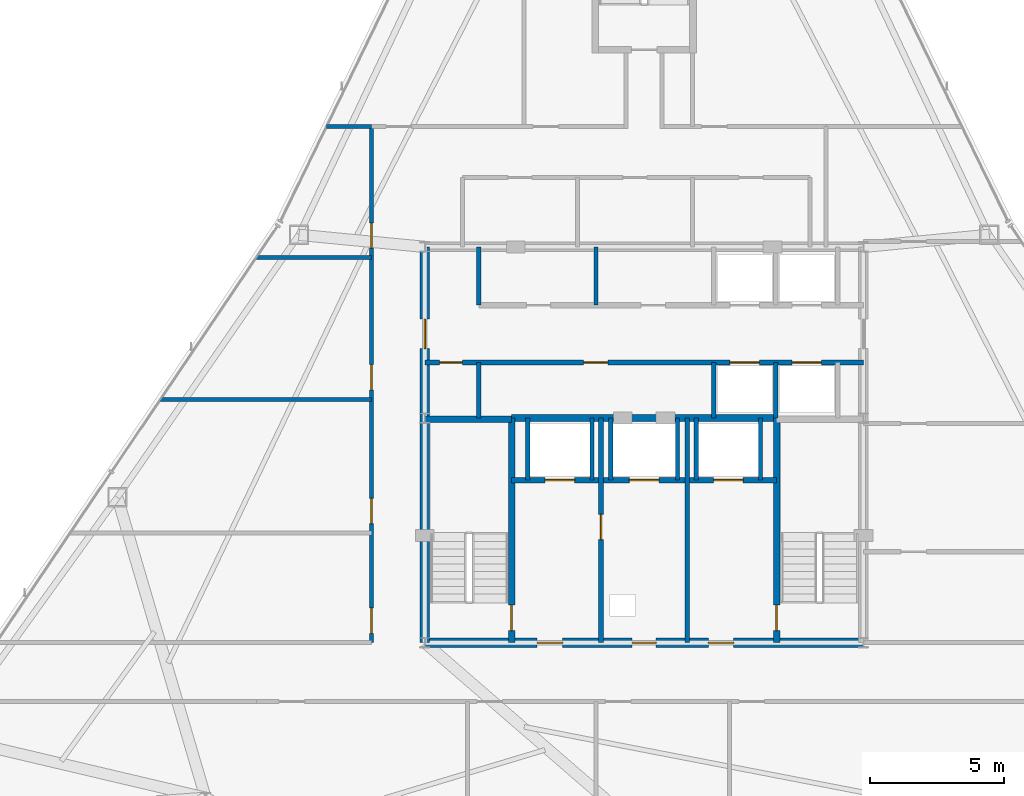
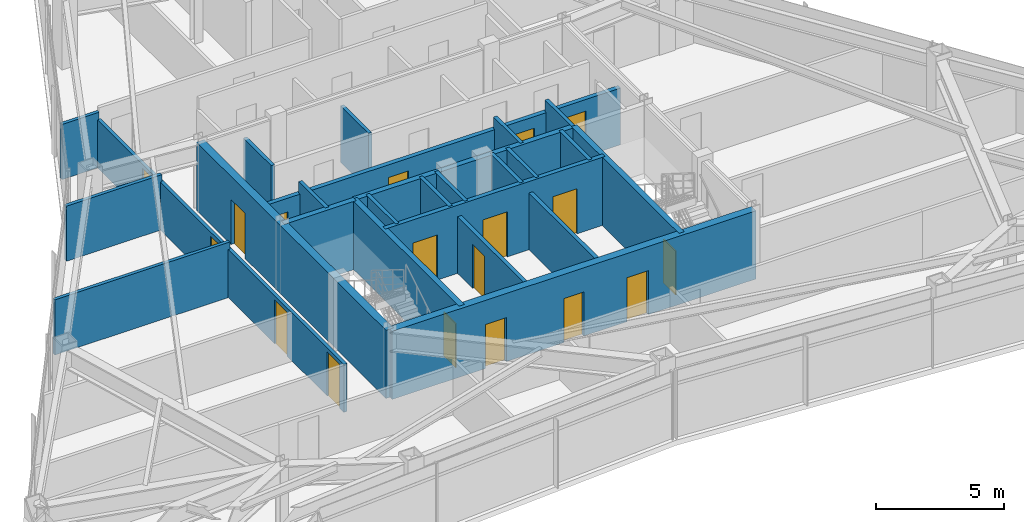
# One storey, part 9 of 12: 25 walls, 18 doors, 18 openings.
"""IFC4 building model written with IfcOpenShell, lengths in metres."""

import ifcopenshell
import ifcopenshell.guid

model = None  # the IFC model being written
_history = None  # IfcOwnerHistory: only IFC2X3 demands one
_inside = {}  # id of a spatial element -> (the spatial element, [elements in it])
_under = {}  # id of a project, library or spatial element -> (it, [spatial elements below it])
_declared = {}  # id of a project -> (the project, [libraries it declares])
_typed = {}  # id of a type object -> (the type object, [elements of that type])
_made_of = {}  # id of a material, layer set ... -> (it, [elements and type objects made of it])


def new_model(schema):
    """Start an empty IFC model of exactly this schema.

    Asked for "IFC4X3", IfcOpenShell would pick the latest addendum, in which some entities
    have other attributes; the version numbers below select the first issue.
    IFC2X3 requires an IfcOwnerHistory on every rooted entity: one is made here for all.
    """
    global model, _history
    if schema == "IFC4X3":
        model = ifcopenshell.file(schema_version=(4, 3, 0, 0))
    else:
        model = ifcopenshell.file(schema=schema)
    _inside.clear()
    _under.clear()
    _declared.clear()
    _typed.clear()
    _made_of.clear()
    _history = None
    if model.schema == "IFC2X3":
        org = make("IfcOrganization", Name="unknown")
        user = make(
            "IfcPersonAndOrganization",
            ThePerson=make("IfcPerson", FamilyName="unknown"),
            TheOrganization=org,
        )
        app = make(
            "IfcApplication",
            ApplicationDeveloper=org,
            Version="unknown",
            ApplicationFullName="unknown",
            ApplicationIdentifier="unknown",
        )
        _history = make(
            "IfcOwnerHistory",
            OwningUser=user,
            OwningApplication=app,
            ChangeAction="ADDED",
            CreationDate=0,
        )
    return model


def make(cls, **values):
    """One entity of the class cls with the attributes given. An attribute that is None is left unset."""
    return model.create_entity(
        cls, **{name: value for name, value in values.items() if value is not None}
    )


def rooted(cls, **values):
    """An entity with a GlobalId (a new one), such as an element, a storey or a relation."""
    return make(cls, GlobalId=ifcopenshell.guid.new(), OwnerHistory=_history, **values)


def si_unit(unit_type, name, prefix=None):
    """IfcSIUnit, for example si_unit("LENGTHUNIT", "METRE", prefix="MILLI")."""
    return make("IfcSIUnit", UnitType=unit_type, Prefix=prefix, Name=name)


def assignment(units):
    """IfcUnitAssignment: the units of a project."""
    return None if units is None else make("IfcUnitAssignment", Units=units)


def point(xyz):
    """IfcCartesianPoint."""
    return None if xyz is None else make("IfcCartesianPoint", Coordinates=xyz)


def direction(xyz):
    """IfcDirection."""
    return None if xyz is None else make("IfcDirection", DirectionRatios=xyz)


def frame(location, z_axis=None, x_axis=None):
    """IfcAxis2Placement3D, a coordinate frame: its origin and axes. An axis left out is left unset."""
    return make(
        "IfcAxis2Placement3D",
        Location=point(location),
        Axis=direction(z_axis),
        RefDirection=direction(x_axis),
    )


def frame_2d(location, x_axis=None):
    """IfcAxis2Placement2D, a coordinate frame in the plane: its origin and x axis."""
    return make(
        "IfcAxis2Placement2D", Location=point(location), RefDirection=direction(x_axis)
    )


def origin():
    """The frame at (0, 0, 0) with its axes left unset."""
    return frame((0.0, 0.0, 0.0))


def place(relative_to, where):
    """IfcLocalPlacement: puts the frame where relative to a parent placement (None: the world)."""
    return make(
        "IfcLocalPlacement", PlacementRelTo=relative_to, RelativePlacement=where
    )


def context(
    kind, dimensions, precision=None, world=None, true_north=None, identifier=None
):
    """IfcGeometricRepresentationContext, for example the 3D "Model" context."""
    return make(
        "IfcGeometricRepresentationContext",
        ContextIdentifier=identifier,
        ContextType=kind,
        CoordinateSpaceDimension=dimensions,
        Precision=precision,
        WorldCoordinateSystem=world,
        TrueNorth=true_north,
    )


def subcontext(parent, identifier, kind, view, scale=None):
    """IfcGeometricRepresentationSubContext, for example "Body" below "Model"."""
    return make(
        "IfcGeometricRepresentationSubContext",
        ContextIdentifier=identifier,
        ContextType=kind,
        ParentContext=parent,
        TargetScale=scale,
        TargetView=view,
    )


def project(units=None, contexts=None):
    """IfcProject with its units and contexts."""
    return rooted(
        "IfcProject",
        Name="project",
        RepresentationContexts=contexts,
        UnitsInContext=assignment(units),
    )


def spatial(cls, under=None, at=None, **own):
    """A site, building, storey or space (cls), placed at a placement, below another one or the project."""
    s = rooted(cls, ObjectPlacement=at, **own)
    if under is not None:
        _under.setdefault(under.id(), (under, []))[1].append(s)
    return s


def profile(cls, at=None, kind="AREA", **sizes):
    """A parametric profile (cls). Its sizes go by their IFC names, for example OverallWidth=200.0."""
    return make(cls, ProfileType=kind, Position=at, **sizes)


def rectangle(**sizes):
    """IfcRectangleProfileDef."""
    return profile("IfcRectangleProfileDef", **sizes)


def extrude(swept, where, along, depth):
    """IfcExtrudedAreaSolid: the profile swept, set in the frame where, extruded along a direction by depth."""
    return make(
        "IfcExtrudedAreaSolid",
        SweptArea=swept,
        Position=where,
        ExtrudedDirection=direction(along),
        Depth=depth,
    )


def shape(context_of_items, identifier, shape_type, items):
    """IfcShapeRepresentation: the items that make up one representation, for example the "Body"."""
    return make(
        "IfcShapeRepresentation",
        ContextOfItems=context_of_items,
        RepresentationIdentifier=identifier,
        RepresentationType=shape_type,
        Items=items,
    )


def material(Name=None, Category=None):
    """IfcMaterial."""
    return make("IfcMaterial", Name=Name, Category=Category)


def layer(
    of_material, thickness, ventilated=None, Name=None, Category=None, Priority=None
):
    """IfcMaterialLayer: one layer of a wall or slab, of a material (None: an air gap)."""
    return make(
        "IfcMaterialLayer",
        Material=of_material,
        LayerThickness=thickness,
        IsVentilated=ventilated,
        Name=Name,
        Category=Category,
        Priority=Priority,
    )


def layer_set(layers, Name=None):
    """IfcMaterialLayerSet."""
    return make("IfcMaterialLayerSet", MaterialLayers=layers, LayerSetName=Name)


def made_of(thing, what):
    """Note that an element or type object is made of a material, layer set ...; save() writes the relation."""
    if what is not None:
        _made_of.setdefault(what.id(), (what, []))[1].append(thing)
    return thing


def type_object(cls, material=None, **own):
    """A type object (cls), such as IfcWallType, which elements share."""
    return made_of(rooted(cls, **own), material)


def element(
    cls,
    number,
    at=None,
    inside=None,
    cuts=None,
    type_object=None,
    material=None,
    context=None,
    identifier="Body",
    shape_type=None,
    held_by="IfcProductDefinitionShape",
    body=None,
    shapes=None,
    **own,
):
    """One element of the class cls, such as IfcWall. Its Tag is "e" and its number.

    at: its placement. inside: the storey or other place that contains it. cuts: it is an
    opening in that element (IfcRelVoidsElement). A single representation is given by context,
    identifier, shape_type and body (its items); several are given by shapes. held_by: the class
    of the entity that holds the representations. save() writes the other relations.
    """
    e = rooted(cls, Tag="e%d" % number, ObjectPlacement=at, **own)
    if body is not None:
        shapes = [shape(context, identifier, shape_type, body)]
    if shapes is not None:
        e.Representation = make(held_by, Representations=shapes)
    if inside is not None:
        _inside.setdefault(inside.id(), (inside, []))[1].append(e)
    if cuts is not None:
        rooted(
            "IfcRelVoidsElement", RelatingBuildingElement=cuts, RelatedOpeningElement=e
        )
    if type_object is not None:
        _typed.setdefault(type_object.id(), (type_object, []))[1].append(e)
    return made_of(e, material)


def fill(opening, filler):
    """IfcRelFillsElement: the door or window that sits in an opening."""
    return rooted(
        "IfcRelFillsElement",
        RelatingOpeningElement=opening,
        RelatedBuildingElement=filler,
    )


def aggregate(whole, parts):
    """IfcRelAggregates: a whole, such as a stair, and the parts it consists of."""
    return rooted("IfcRelAggregates", RelatingObject=whole, RelatedObjects=parts)


def save(model, path):
    """Write the relations noted so far, then the file.

    IfcRelAggregates (storeys below a building ...), IfcRelContainedInSpatialStructure (elements
    in a storey), IfcRelDefinesByType, IfcRelAssociatesMaterial and IfcRelDeclares: one each for
    every whole, place, type object, material and project.
    """
    for whole, parts in _under.values():
        aggregate(whole, parts)
    for where, things in _inside.values():
        rooted(
            "IfcRelContainedInSpatialStructure",
            RelatedElements=things,
            RelatingStructure=where,
        )
    for kind, things in _typed.values():
        rooted("IfcRelDefinesByType", RelatedObjects=things, RelatingType=kind)
    for what, things in _made_of.values():
        rooted("IfcRelAssociatesMaterial", RelatedObjects=things, RelatingMaterial=what)
    for by, libraries in _declared.values():
        rooted("IfcRelDeclares", RelatingContext=by, RelatedDefinitions=libraries)
    model.write(path)


model = new_model("IFC4")

# Units and contexts
model_context = context("Model", 3, precision=1e-05, world=origin(), true_north=direction((0.0, 1.0)))
body_context = subcontext(model_context, "Body", "Model", "MODEL_VIEW")
ifc_project = project(units=[si_unit("LENGTHUNIT", "METRE"), si_unit("AREAUNIT", "SQUARE_METRE"), si_unit("VOLUMEUNIT", "CUBIC_METRE"), si_unit("PLANEANGLEUNIT", "RADIAN"), si_unit("MASSUNIT", "GRAM", prefix="KILO")], contexts=[model_context])

# Site, building, storey
site_placement = place(None, origin())
site = spatial("IfcSite", under=ifc_project, at=site_placement, CompositionType="ELEMENT")
building_placement = place(site_placement, origin())
building = spatial("IfcBuilding", under=site, at=building_placement, Name="Varakhsha Concourse Tower", CompositionType="ELEMENT")
storey_placement = place(building_placement, frame((0.0, 0.0, 204.89990234375)))
storey = spatial("IfcBuildingStorey", under=building, at=storey_placement, Name="L58", CompositionType="ELEMENT", Elevation=204.89990234375)

# Wall, openings, doors
ifc_material_1 = material(Name="Concrete fc 65 MPa", Category="concrete")
ifc_layer_1 = layer(ifc_material_1, 0.35009765625, Name="WL-CORE-350")
ifc_layer_set_1 = layer_set([ifc_layer_1], Name="Concrete fc 65 MPa")
wall_type_1 = type_object("IfcWallType", Name="WL-CORE-350", PredefinedType="SHEAR", material=ifc_layer_set_1)
wall_1_placement = place(storey_placement, frame((31.800048828125, 16.39990234375, 0.0), z_axis=(0.0, 0.0, 1.0), x_axis=(1.0, 0.0, 0.0)))
wall_1 = element("IfcWall", 1, at=wall_1_placement, inside=storey, type_object=wall_type_1, Name="L58 Wall CWALL-S-L58", PredefinedType="SHEAR", context=body_context, shape_type="SweptSolid", body=[
    extrude(rectangle(XDim=16.39990234375, YDim=0.35009765625, at=frame_2d((8.199951171875, 0.0))), origin(), (0.0, 0.0, 1.0), 3.25),
])
opening_1_placement = place(wall_1_placement, frame((7.75, 0.0, 0.0)))
opening_1 = element("IfcOpeningElement", 2, at=opening_1_placement, cuts=wall_1, Name="Opening DF-06", PredefinedType="OPENING", context=body_context, shape_type="SweptSolid", body=[
    extrude(rectangle(XDim=0.89990234375, YDim=2.10009765625, at=frame_2d((0.449951171875, 1.050048828125))), frame((0.0, 0.18505859375, 0.0), z_axis=(0.0, -1.0, 0.0), x_axis=(1.0, 0.0, 0.0)), (0.0, 0.0, 1.0), 0.3701171875),
])
opening_2_placement = place(wall_1_placement, frame((4.199951171875, 0.0, 0.0)))
opening_2 = element("IfcOpeningElement", 3, at=opening_2_placement, cuts=wall_1, Name="Opening DF-05", PredefinedType="OPENING", context=body_context, shape_type="SweptSolid", body=[
    extrude(rectangle(XDim=0.949951171875, YDim=2.10009765625, at=frame_2d((0.47509765625, 1.050048828125))), frame((0.0, 0.18505859375, 0.0), z_axis=(0.0, -1.0, 0.0), x_axis=(1.0, 0.0, 0.0)), (0.0, 0.0, 1.0), 0.3701171875),
])
opening_3_placement = place(wall_1_placement, frame((10.60009765625, 0.0, 0.0)))
opening_3 = element("IfcOpeningElement", 4, at=opening_3_placement, cuts=wall_1, Name="Opening DF-05", PredefinedType="OPENING", context=body_context, shape_type="SweptSolid", body=[
    extrude(rectangle(XDim=0.949951171875, YDim=2.10009765625, at=frame_2d((0.47509765625, 1.050048828125))), frame((0.0, 0.18505859375, 0.0), z_axis=(0.0, -1.0, 0.0), x_axis=(1.0, 0.0, 0.0)), (0.0, 0.0, 1.0), 0.3701171875),
])
ifc_material_2 = material(Name="Hollow Galvanised Steel Fire Door Assembly", Category="steel")
door_type_1 = type_object("IfcDoorType", Name="DR-FD60-900", OperationType="NOTDEFINED", PredefinedType="DOOR", material=ifc_material_2)
door_1_placement = place(opening_1_placement, origin())
door_1 = element("IfcDoor", 5, at=door_1_placement, inside=storey, type_object=door_type_1, Name="L58 Service Riser Vestibule Door", OperationType="SINGLE_SWING_LEFT", OverallHeight=2.10009765625, OverallWidth=0.89990234375, PredefinedType="DOOR", context=body_context, shape_type="SweptSolid", body=[
    extrude(rectangle(XDim=0.89990234375, YDim=2.10009765625, at=frame_2d((0.449951171875, 1.050048828125))), frame((0.0, 0.02490234375, 0.0), z_axis=(0.0, -1.0, 0.0), x_axis=(1.0, 0.0, 0.0)), (0.0, 0.0, 1.0), 0.050048828125),
])
fill(opening_1, door_1)
door_type_2 = type_object("IfcDoorType", Name="DR-FD60-950", OperationType="NOTDEFINED", PredefinedType="DOOR", material=ifc_material_2)
door_2_placement = place(opening_2_placement, origin())
door_2 = element("IfcDoor", 6, at=door_2_placement, inside=storey, type_object=door_type_2, Name="L58 Firefighting Lobby West Door", OperationType="SINGLE_SWING_RIGHT", OverallHeight=2.10009765625, OverallWidth=0.949951171875, PredefinedType="DOOR", context=body_context, shape_type="SweptSolid", body=[
    extrude(rectangle(XDim=0.949951171875, YDim=2.10009765625, at=frame_2d((0.47509765625, 1.050048828125))), frame((0.0, 0.02490234375, 0.0), z_axis=(0.0, -1.0, 0.0), x_axis=(1.0, 0.0, 0.0)), (0.0, 0.0, 1.0), 0.050048828125),
])
fill(opening_2, door_2)
door_3_placement = place(opening_3_placement, origin())
door_3 = element("IfcDoor", 7, at=door_3_placement, inside=storey, type_object=door_type_2, Name="L58 Firefighting Lobby East Door", OperationType="SINGLE_SWING_LEFT", OverallHeight=2.10009765625, OverallWidth=0.949951171875, PredefinedType="DOOR", context=body_context, shape_type="SweptSolid", body=[
    extrude(rectangle(XDim=0.949951171875, YDim=2.10009765625, at=frame_2d((0.47509765625, 1.050048828125))), frame((0.0, 0.02490234375, 0.0), z_axis=(0.0, -1.0, 0.0), x_axis=(1.0, 0.0, 0.0)), (0.0, 0.0, 1.0), 0.050048828125),
])
fill(opening_3, door_3)

# Wall, opening, door
wall_2_placement = place(storey_placement, frame((31.800048828125, 16.39990234375, 0.0), z_axis=(0.0, 0.0, 1.0), x_axis=(0.0, 1.0, 0.0)))
wall_2 = element("IfcWall", 8, at=wall_2_placement, inside=storey, type_object=wall_type_1, Name="L58 Wall CWALL-W-L58", PredefinedType="SHEAR", context=body_context, shape_type="SweptSolid", body=[
    extrude(rectangle(XDim=14.800048828125, YDim=0.35009765625, at=frame_2d((7.39990234375, 0.0))), origin(), (0.0, 0.0, 1.0), 3.25),
])
opening_4_placement = place(wall_2_placement, frame((11.0, 0.0, 0.0)))
opening_4 = element("IfcOpeningElement", 9, at=opening_4_placement, cuts=wall_2, Name="Opening DL-01", PredefinedType="OPENING", context=body_context, shape_type="SweptSolid", body=[
    extrude(rectangle(XDim=1.10009765625, YDim=2.14990234375, at=frame_2d((0.550048828125, 1.074951171875))), frame((0.0, 0.18505859375, 0.0), z_axis=(0.0, -1.0, 0.0), x_axis=(1.0, 0.0, 0.0)), (0.0, 0.0, 1.0), 0.3701171875),
])
ifc_material_3 = material(Name="Anodised Bronze Architectural Aluminium AA 6063-T6", Category="aluminium")
door_type_3 = type_object("IfcDoorType", Name="DR-LOB-1100", OperationType="NOTDEFINED", PredefinedType="DOOR", material=ifc_material_3)
door_4_placement = place(opening_4_placement, origin())
door_4 = element("IfcDoor", 10, at=door_4_placement, inside=storey, type_object=door_type_3, Name="L58 Lift Lobby West Concourse Door", OperationType="SINGLE_SWING_LEFT", OverallHeight=2.14990234375, OverallWidth=1.10009765625, PredefinedType="DOOR", context=body_context, shape_type="SweptSolid", body=[
    extrude(rectangle(XDim=1.10009765625, YDim=2.14990234375, at=frame_2d((0.550048828125, 1.074951171875))), frame((0.0, 0.02490234375, 0.0), z_axis=(0.0, -1.0, 0.0), x_axis=(1.0, 0.0, 0.0)), (0.0, 0.0, 1.0), 0.050048828125),
])
fill(opening_4, door_4)

ifc_material_4 = material(Name="Fire-Rated Type X Gypsum Partition Assembly", Category="gypsum")
ifc_layer_2 = layer(ifc_material_4, 0.179931640625, Name="WL-FFLOB-180")
ifc_layer_set_2 = layer_set([ifc_layer_2], Name="Fire-Rated Type X Gypsum Partition Assembly")
wall_type_2 = type_object("IfcWallType", Name="WL-FFLOB-180", PredefinedType="PARTITIONING", material=ifc_layer_set_2)
wall_3_placement = place(storey_placement, frame((38.389892578125, 16.39990234375, 0.0), z_axis=(0.0, 0.0, 1.0), x_axis=(0.0, 1.0, 0.0)))
wall_3 = element("IfcWall", 11, at=wall_3_placement, inside=storey, type_object=wall_type_2, Name="L58 Wall FFW-1E-L58", PredefinedType="PARTITIONING", context=body_context, shape_type="SweptSolid", body=[
    extrude(rectangle(XDim=8.400146484375, YDim=0.179931640625, at=frame_2d((4.2001953125, 0.0))), origin(), (0.0, 0.0, 1.0), 2.705078125),
])
opening_5_placement = place(wall_3_placement, frame((3.85009765625, 0.0, 0.0)))
opening_5 = element("IfcOpeningElement", 12, at=opening_5_placement, cuts=wall_3, Name="Opening DF-05", PredefinedType="OPENING", context=body_context, shape_type="SweptSolid", body=[
    extrude(rectangle(XDim=0.949951171875, YDim=2.10009765625, at=frame_2d((0.47509765625, 1.050048828125))), frame((0.0, 0.099853515625, 0.0), z_axis=(0.0, -1.0, 0.0), x_axis=(1.0, 0.0, 0.0)), (0.0, 0.0, 1.0), 0.199951171875),
])
door_5_placement = place(opening_5_placement, origin())
door_5 = element("IfcDoor", 13, at=door_5_placement, inside=storey, type_object=door_type_2, Name="L58 Service Vestibule Door", OperationType="SINGLE_SWING_RIGHT", OverallHeight=2.10009765625, OverallWidth=0.949951171875, PredefinedType="DOOR", context=body_context, shape_type="SweptSolid", body=[
    extrude(rectangle(XDim=0.949951171875, YDim=2.10009765625, at=frame_2d((0.47509765625, 1.050048828125))), frame((0.0, 0.02490234375, 0.0), z_axis=(0.0, -1.0, 0.0), x_axis=(1.0, 0.0, 0.0)), (0.0, 0.0, 1.0), 0.050048828125),
])
fill(opening_5, door_5)

# Walls
wall_4_placement = place(storey_placement, frame((41.610107421875, 16.39990234375, 0.0), z_axis=(0.0, 0.0, 1.0), x_axis=(0.0, 1.0, 0.0)))
element("IfcWall", 14, at=wall_4_placement, inside=storey, type_object=wall_type_2, Name="L58 Wall FFW-2W-L58", PredefinedType="PARTITIONING", context=body_context, shape_type="SweptSolid", body=[
    extrude(rectangle(XDim=8.400146484375, YDim=0.179931640625, at=frame_2d((4.2001953125, 0.0))), origin(), (0.0, 0.0, 1.0), 2.705078125),
])
ifc_layer_3 = layer(ifc_material_4, 0.14990234375, Name="WL-PART-150")
ifc_layer_set_3 = layer_set([ifc_layer_3], Name="Fire-Rated Type X Gypsum Partition Assembly")
wall_type_3 = type_object("IfcWallType", Name="WL-PART-150", PredefinedType="PARTITIONING", material=ifc_layer_set_3)
wall_5_placement = place(storey_placement, frame((38.199951171875, 29.02001953125, 0.0), z_axis=(0.0, 0.0, 1.0), x_axis=(0.0, 1.0, 0.0)))
element("IfcWall", 15, at=wall_5_placement, inside=storey, type_object=wall_type_3, Name="L58 Wall P1F-D1-L58", PredefinedType="PARTITIONING", context=body_context, shape_type="SweptSolid", body=[
    extrude(rectangle(XDim=2.179931640625, YDim=0.14990234375, at=frame_2d((1.08984375, 0.0))), origin(), (0.0, 0.0, 1.0), 2.705078125),
])

# Wall, openings, doors
wall_6_placement = place(storey_placement, frame((29.800048828125, 16.39990234375, 0.0), z_axis=(0.0, 0.0, 1.0), x_axis=(0.0, 1.0, 0.0)))
wall_6 = element("IfcWall", 16, at=wall_6_placement, inside=storey, type_object=wall_type_3, Name="L58 Wall CRW-W-L58", PredefinedType="PARTITIONING", context=body_context, shape_type="SweptSolid", body=[
    extrude(rectangle(XDim=19.300048828125, YDim=0.14990234375, at=frame_2d((9.64990234375, 0.0))), origin(), (0.0, 0.0, 1.0), 2.2919921875),
])
opening_6_placement = place(wall_6_placement, frame((0.35009765625, 0.0, 0.0)))
opening_6 = element("IfcOpeningElement", 17, at=opening_6_placement, cuts=wall_6, Name="Opening DF-05", PredefinedType="OPENING", context=body_context, shape_type="SweptSolid", body=[
    extrude(rectangle(XDim=0.949951171875, YDim=2.10009765625, at=frame_2d((0.47509765625, 1.050048828125))), frame((0.0, 0.0849609375, 0.0), z_axis=(0.0, -1.0, 0.0), x_axis=(1.0, 0.0, 0.0)), (0.0, 0.0, 1.0), 0.169921875),
])
opening_7_placement = place(wall_6_placement, frame((4.449951171875, 0.0, 0.0)))
opening_7 = element("IfcOpeningElement", 18, at=opening_7_placement, cuts=wall_6, Name="Opening DF-05", PredefinedType="OPENING", context=body_context, shape_type="SweptSolid", body=[
    extrude(rectangle(XDim=0.949951171875, YDim=2.10009765625, at=frame_2d((0.47509765625, 1.050048828125))), frame((0.0, 0.0849609375, 0.0), z_axis=(0.0, -1.0, 0.0), x_axis=(1.0, 0.0, 0.0)), (0.0, 0.0, 1.0), 0.169921875),
])
opening_8_placement = place(wall_6_placement, frame((9.449951171875, 0.0, 0.0)))
opening_8 = element("IfcOpeningElement", 19, at=opening_8_placement, cuts=wall_6, Name="Opening DF-05", PredefinedType="OPENING", context=body_context, shape_type="SweptSolid", body=[
    extrude(rectangle(XDim=0.949951171875, YDim=2.10009765625, at=frame_2d((0.47509765625, 1.050048828125))), frame((0.0, 0.0849609375, 0.0), z_axis=(0.0, -1.0, 0.0), x_axis=(1.0, 0.0, 0.0)), (0.0, 0.0, 1.0), 0.169921875),
])
opening_9_placement = place(wall_6_placement, frame((14.75, 0.0, 0.0)))
opening_9 = element("IfcOpeningElement", 20, at=opening_9_placement, cuts=wall_6, Name="Opening DF-05", PredefinedType="OPENING", context=body_context, shape_type="SweptSolid", body=[
    extrude(rectangle(XDim=0.949951171875, YDim=2.10009765625, at=frame_2d((0.47509765625, 1.050048828125))), frame((0.0, 0.0849609375, 0.0), z_axis=(0.0, -1.0, 0.0), x_axis=(1.0, 0.0, 0.0)), (0.0, 0.0, 1.0), 0.169921875),
])
door_6_placement = place(opening_6_placement, origin())
door_6 = element("IfcDoor", 21, at=door_6_placement, inside=storey, type_object=door_type_2, Name="L58 Diplomatic Reception Gallery L58 Door", OperationType="SINGLE_SWING_LEFT", OverallHeight=2.10009765625, OverallWidth=0.949951171875, PredefinedType="DOOR", context=body_context, shape_type="SweptSolid", body=[
    extrude(rectangle(XDim=0.949951171875, YDim=2.10009765625, at=frame_2d((0.47509765625, 1.050048828125))), frame((0.0, 0.02490234375, 0.0), z_axis=(0.0, -1.0, 0.0), x_axis=(1.0, 0.0, 0.0)), (0.0, 0.0, 1.0), 0.050048828125),
])
fill(opening_6, door_6)
door_7_placement = place(opening_7_placement, origin())
door_7 = element("IfcDoor", 22, at=door_7_placement, inside=storey, type_object=door_type_2, Name="L58 Executive Director Suite L58-W2 Door", OperationType="SINGLE_SWING_RIGHT", OverallHeight=2.10009765625, OverallWidth=0.949951171875, PredefinedType="DOOR", context=body_context, shape_type="SweptSolid", body=[
    extrude(rectangle(XDim=0.949951171875, YDim=2.10009765625, at=frame_2d((0.47509765625, 1.050048828125))), frame((0.0, 0.02490234375, 0.0), z_axis=(0.0, -1.0, 0.0), x_axis=(1.0, 0.0, 0.0)), (0.0, 0.0, 1.0), 0.050048828125),
])
fill(opening_7, door_7)
door_8_placement = place(opening_8_placement, origin())
door_8 = element("IfcDoor", 23, at=door_8_placement, inside=storey, type_object=door_type_2, Name="L58 Executive Director Suite L58-W3 Door", OperationType="SINGLE_SWING_LEFT", OverallHeight=2.10009765625, OverallWidth=0.949951171875, PredefinedType="DOOR", context=body_context, shape_type="SweptSolid", body=[
    extrude(rectangle(XDim=0.949951171875, YDim=2.10009765625, at=frame_2d((0.47509765625, 1.050048828125))), frame((0.0, 0.02490234375, 0.0), z_axis=(0.0, -1.0, 0.0), x_axis=(1.0, 0.0, 0.0)), (0.0, 0.0, 1.0), 0.050048828125),
])
fill(opening_8, door_8)
door_9_placement = place(opening_9_placement, origin())
door_9 = element("IfcDoor", 24, at=door_9_placement, inside=storey, type_object=door_type_2, Name="L58 Executive Director Suite L58-W4 Door", OperationType="SINGLE_SWING_RIGHT", OverallHeight=2.10009765625, OverallWidth=0.949951171875, PredefinedType="DOOR", context=body_context, shape_type="SweptSolid", body=[
    extrude(rectangle(XDim=0.949951171875, YDim=2.10009765625, at=frame_2d((0.47509765625, 1.050048828125))), frame((0.0, 0.02490234375, 0.0), z_axis=(0.0, -1.0, 0.0), x_axis=(1.0, 0.0, 0.0)), (0.0, 0.0, 1.0), 0.050048828125),
])
fill(opening_9, door_9)

# Walls
wall_7_placement = place(storey_placement, frame((28.124267578125, 35.699951171875, 0.0), z_axis=(0.0, 0.0, 1.0), x_axis=(1.0, 0.0, 0.0)))
element("IfcWall", 25, at=wall_7_placement, inside=storey, type_object=wall_type_3, Name="L58 Wall ODIV-WBN-L58", PredefinedType="PARTITIONING", context=body_context, shape_type="SweptSolid", body=[
    extrude(rectangle(XDim=1.67578125, YDim=0.14990234375, at=frame_2d((0.837890625, 0.0))), origin(), (0.0, 0.0, 1.0), 2.628173828125),
])
wall_8_placement = place(storey_placement, frame((21.91650390625, 25.5, 0.0), z_axis=(0.0, 0.0, 1.0), x_axis=(1.0, 0.0, 0.0)))
element("IfcWall", 26, at=wall_8_placement, inside=storey, type_object=wall_type_3, Name="L58 Wall ODIV-W2-L58", PredefinedType="PARTITIONING", context=body_context, shape_type="SweptSolid", body=[
    extrude(rectangle(XDim=7.883544921875, YDim=0.14990234375, at=frame_2d((3.94189453125, 0.0))), origin(), (0.0, 0.0, 1.0), 2.628173828125),
])
wall_9_placement = place(storey_placement, frame((25.498779296875, 30.800048828125, 0.0), z_axis=(0.0, 0.0, 1.0), x_axis=(1.0, 0.0, 0.0)))
element("IfcWall", 27, at=wall_9_placement, inside=storey, type_object=wall_type_3, Name="L58 Wall ODIV-W3-L58", PredefinedType="PARTITIONING", context=body_context, shape_type="SweptSolid", body=[
    extrude(rectangle(XDim=4.30126953125, YDim=0.14990234375, at=frame_2d((2.150634765625, 0.0))), origin(), (0.0, 0.0, 1.0), 2.628173828125),
])

# Wall, openings, doors
ifc_layer_4 = layer(ifc_material_4, 0.199951171875, Name="WL-SHAFT-220")
ifc_layer_set_4 = layer_set([ifc_layer_4], Name="Fire-Rated Type X Gypsum Partition Assembly")
wall_type_4 = type_object("IfcWallType", Name="WL-SHAFT-220", PredefinedType="SOLIDWALL", material=ifc_layer_set_4)
wall_10_placement = place(storey_placement, frame((35.044921875, 22.47998046875, 0.0), z_axis=(0.0, 0.0, 1.0), x_axis=(1.0, 0.0, 0.0)))
wall_10 = element("IfcWall", 28, at=wall_10_placement, inside=storey, type_object=wall_type_4, Name="L58 Wall FFW-NH-L58", PredefinedType="SOLIDWALL", context=body_context, shape_type="SweptSolid", body=[
    extrude(rectangle(XDim=9.91015625, YDim=0.199951171875, at=frame_2d((4.955078125, 0.0))), origin(), (0.0, 0.0, 1.0), 3.25),
])
opening_10_placement = place(wall_10_placement, frame((1.2548828125, 0.0, 0.0)))
opening_10 = element("IfcOpeningElement", 29, at=opening_10_placement, cuts=wall_10, Name="Opening LD-FFL-1", PredefinedType="OPENING", context=body_context, shape_type="SweptSolid", body=[
    extrude(rectangle(XDim=1.10009765625, YDim=2.14990234375, at=frame_2d((0.550048828125, 1.074951171875))), frame((0.0, 0.10986328125, 0.0), z_axis=(0.0, -1.0, 0.0), x_axis=(1.0, 0.0, 0.0)), (0.0, 0.0, 1.0), 0.219970703125),
])
opening_11_placement = place(wall_10_placement, frame((7.554931640625, 0.0, 0.0)))
opening_11 = element("IfcOpeningElement", 30, at=opening_11_placement, cuts=wall_10, Name="Opening LD-FFL-2", PredefinedType="OPENING", context=body_context, shape_type="SweptSolid", body=[
    extrude(rectangle(XDim=1.10009765625, YDim=2.14990234375, at=frame_2d((0.550048828125, 1.074951171875))), frame((0.0, 0.10986328125, 0.0), z_axis=(0.0, -1.0, 0.0), x_axis=(1.0, 0.0, 0.0)), (0.0, 0.0, 1.0), 0.219970703125),
])
opening_12_placement = place(wall_10_placement, frame((4.405029296875, 0.0, 0.0)))
opening_12 = element("IfcOpeningElement", 31, at=opening_12_placement, cuts=wall_10, Name="Opening LD-SVL-1", PredefinedType="OPENING", context=body_context, shape_type="SweptSolid", body=[
    extrude(rectangle(XDim=1.10009765625, YDim=2.14990234375, at=frame_2d((0.550048828125, 1.074951171875))), frame((0.0, 0.10986328125, 0.0), z_axis=(0.0, -1.0, 0.0), x_axis=(1.0, 0.0, 0.0)), (0.0, 0.0, 1.0), 0.219970703125),
])
ifc_material_5 = material(Name="Brushed Austenitic Stainless Steel AISI 316", Category="steel")
door_type_4 = type_object("IfcDoorType", Name="DR-LD-1100", OperationType="DOUBLE_DOOR_SLIDING", PredefinedType="DOOR", material=ifc_material_5)
door_10_placement = place(opening_10_placement, origin())
door_10 = element("IfcDoor", 32, at=door_10_placement, inside=storey, type_object=door_type_4, Name="Lift Landing Door FFL-1 L58", OperationType="DOUBLE_DOOR_SLIDING", OverallHeight=2.14990234375, OverallWidth=1.10009765625, PredefinedType="DOOR", context=body_context, shape_type="SweptSolid", body=[
    extrude(rectangle(XDim=1.10009765625, YDim=2.14990234375, at=frame_2d((0.550048828125, 1.074951171875))), frame((0.0, 0.02490234375, 0.0), z_axis=(0.0, -1.0, 0.0), x_axis=(1.0, 0.0, 0.0)), (0.0, 0.0, 1.0), 0.050048828125),
])
fill(opening_10, door_10)
door_11_placement = place(opening_11_placement, origin())
door_11 = element("IfcDoor", 33, at=door_11_placement, inside=storey, type_object=door_type_4, Name="Lift Landing Door FFL-2 L58", OperationType="DOUBLE_DOOR_SLIDING", OverallHeight=2.14990234375, OverallWidth=1.10009765625, PredefinedType="DOOR", context=body_context, shape_type="SweptSolid", body=[
    extrude(rectangle(XDim=1.10009765625, YDim=2.14990234375, at=frame_2d((0.550048828125, 1.074951171875))), frame((0.0, 0.02490234375, 0.0), z_axis=(0.0, -1.0, 0.0), x_axis=(1.0, 0.0, 0.0)), (0.0, 0.0, 1.0), 0.050048828125),
])
fill(opening_11, door_11)
door_12_placement = place(opening_12_placement, origin())
door_12 = element("IfcDoor", 34, at=door_12_placement, inside=storey, type_object=door_type_4, Name="Lift Landing Door SVL-1 L58", OperationType="DOUBLE_DOOR_SLIDING", OverallHeight=2.14990234375, OverallWidth=1.10009765625, PredefinedType="DOOR", context=body_context, shape_type="SweptSolid", body=[
    extrude(rectangle(XDim=1.10009765625, YDim=2.14990234375, at=frame_2d((0.550048828125, 1.074951171875))), frame((0.0, 0.02490234375, 0.0), z_axis=(0.0, -1.0, 0.0), x_axis=(1.0, 0.0, 0.0)), (0.0, 0.0, 1.0), 0.050048828125),
])
fill(opening_12, door_12)

# Walls
for number, where, z_axis, x_axis, name in (
    (35, (35.64990234375, 22.47998046875, 0.0), (0.0, 0.0, 1.0), (0.0, 1.0, 0.0), "L58 Wall SHW-FFL-1-W-L58"),
    (36, (38.050048828125, 22.47998046875, 0.0), (0.0, 0.0, 1.0), (0.0, 1.0, 0.0), "L58 Wall SHW-FFL-1-E-L58"),
    (37, (41.949951171875, 22.47998046875, 0.0), (0.0, 0.0, 1.0), (0.0, 1.0, 0.0), "L58 Wall SHW-FFL-2-W-L58"),
    (38, (44.35009765625, 22.47998046875, 0.0), (0.0, 0.0, 1.0), (0.0, 1.0, 0.0), "L58 Wall SHW-FFL-2-E-L58"),
    (39, (38.75, 22.47998046875, 0.0), (0.0, 0.0, 1.0), (0.0, 1.0, 0.0), "L58 Wall SHW-SVL-1-W-L58"),
    (40, (41.25, 22.47998046875, 0.0), (0.0, 0.0, 1.0), (0.0, 1.0, 0.0), "L58 Wall SHW-SVL-1-E-L58"),
):
    element("IfcWall", number, at=place(storey_placement, frame(where, z_axis=z_axis, x_axis=x_axis)), inside=storey, type_object=wall_type_4, Name=name, PredefinedType="SOLIDWALL", context=body_context, shape_type="SweptSolid", body=[
        extrude(rectangle(XDim=2.320068359375, YDim=0.159912109375, at=frame_2d((1.16015625, 0.0))), origin(), (0.0, 0.0, 1.0), 3.25),
    ])

# Wall, openings, doors
wall_11_placement = place(storey_placement, frame((31.800048828125, 26.8798828125, 0.0), z_axis=(0.0, 0.0, 1.0), x_axis=(1.0, 0.0, 0.0)))
wall_11 = element("IfcWall", 41, at=wall_11_placement, inside=storey, type_object=wall_type_4, Name="L58 Wall PLW-S-L58", PredefinedType="SOLIDWALL", context=body_context, shape_type="SweptSolid", body=[
    extrude(rectangle(XDim=16.39990234375, YDim=0.199951171875, at=frame_2d((8.199951171875, 0.0))), origin(), (0.0, 0.0, 1.0), 2.705078125),
])
opening_13_placement = place(wall_11_placement, frame((0.550048828125, 0.0, 0.0)))
opening_13 = element("IfcOpeningElement", 42, at=opening_13_placement, cuts=wall_11, Name="Opening DF-07", PredefinedType="OPENING", context=body_context, shape_type="SweptSolid", body=[
    extrude(rectangle(XDim=0.85009765625, YDim=2.050048828125, at=frame_2d((0.425048828125, 1.02490234375))), frame((0.0, 0.10986328125, 0.0), z_axis=(0.0, -1.0, 0.0), x_axis=(1.0, 0.0, 0.0)), (0.0, 0.0, 1.0), 0.219970703125),
])
opening_14_placement = place(wall_11_placement, frame((5.93994140625, 0.0, 0.0)))
opening_14 = element("IfcOpeningElement", 43, at=opening_14_placement, cuts=wall_11, Name="Opening DF-06", PredefinedType="OPENING", context=body_context, shape_type="SweptSolid", body=[
    extrude(rectangle(XDim=0.89990234375, YDim=2.10009765625, at=frame_2d((0.449951171875, 1.050048828125))), frame((0.0, 0.10986328125, 0.0), z_axis=(0.0, -1.0, 0.0), x_axis=(1.0, 0.0, 0.0)), (0.0, 0.0, 1.0), 0.219970703125),
])
opening_15_placement = place(wall_11_placement, frame((11.409912109375, 0.0, 0.0)))
opening_15 = element("IfcOpeningElement", 44, at=opening_15_placement, cuts=wall_11, Name="Opening LD-LF-P11", PredefinedType="OPENING", context=body_context, shape_type="SweptSolid", body=[
    extrude(rectangle(XDim=1.10009765625, YDim=2.14990234375, at=frame_2d((0.550048828125, 1.074951171875))), frame((0.0, 0.10986328125, 0.0), z_axis=(0.0, -1.0, 0.0), x_axis=(1.0, 0.0, 0.0)), (0.0, 0.0, 1.0), 0.219970703125),
])
opening_16_placement = place(wall_11_placement, frame((13.72998046875, 0.0, 0.0)))
opening_16 = element("IfcOpeningElement", 45, at=opening_16_placement, cuts=wall_11, Name="Opening LD-LF-P12", PredefinedType="OPENING", context=body_context, shape_type="SweptSolid", body=[
    extrude(rectangle(XDim=1.10009765625, YDim=2.14990234375, at=frame_2d((0.550048828125, 1.074951171875))), frame((0.0, 0.10986328125, 0.0), z_axis=(0.0, -1.0, 0.0), x_axis=(1.0, 0.0, 0.0)), (0.0, 0.0, 1.0), 0.219970703125),
])
door_type_5 = type_object("IfcDoorType", Name="DR-FD60-850", OperationType="NOTDEFINED", PredefinedType="DOOR", material=ifc_material_2)
door_13_placement = place(opening_13_placement, origin())
door_13 = element("IfcDoor", 46, at=door_13_placement, inside=storey, type_object=door_type_5, Name="L58 Core Telecoms Closet Door", OperationType="SINGLE_SWING_RIGHT", OverallHeight=2.050048828125, OverallWidth=0.85009765625, PredefinedType="DOOR", context=body_context, shape_type="SweptSolid", body=[
    extrude(rectangle(XDim=0.85009765625, YDim=2.050048828125, at=frame_2d((0.425048828125, 1.02490234375))), frame((0.0, 0.02490234375, 0.0), z_axis=(0.0, -1.0, 0.0), x_axis=(1.0, 0.0, 0.0)), (0.0, 0.0, 1.0), 0.050048828125),
])
fill(opening_13, door_13)
door_14_placement = place(opening_14_placement, origin())
door_14 = element("IfcDoor", 47, at=door_14_placement, inside=storey, type_object=door_type_1, Name="L58 Executive Pantry and Copy Suite Door", OperationType="SINGLE_SWING_RIGHT", OverallHeight=2.10009765625, OverallWidth=0.89990234375, PredefinedType="DOOR", context=body_context, shape_type="SweptSolid", body=[
    extrude(rectangle(XDim=0.89990234375, YDim=2.10009765625, at=frame_2d((0.449951171875, 1.050048828125))), frame((0.0, 0.02490234375, 0.0), z_axis=(0.0, -1.0, 0.0), x_axis=(1.0, 0.0, 0.0)), (0.0, 0.0, 1.0), 0.050048828125),
])
fill(opening_14, door_14)
door_15_placement = place(opening_15_placement, origin())
door_15 = element("IfcDoor", 48, at=door_15_placement, inside=storey, type_object=door_type_4, Name="Lift Landing Door LF-P11 L58", OperationType="DOUBLE_DOOR_SLIDING", OverallHeight=2.14990234375, OverallWidth=1.10009765625, PredefinedType="DOOR", context=body_context, shape_type="SweptSolid", body=[
    extrude(rectangle(XDim=1.10009765625, YDim=2.14990234375, at=frame_2d((0.550048828125, 1.074951171875))), frame((0.0, 0.02490234375, 0.0), z_axis=(0.0, -1.0, 0.0), x_axis=(1.0, 0.0, 0.0)), (0.0, 0.0, 1.0), 0.050048828125),
])
fill(opening_15, door_15)
door_16_placement = place(opening_16_placement, origin())
door_16 = element("IfcDoor", 49, at=door_16_placement, inside=storey, type_object=door_type_4, Name="Lift Landing Door LF-P12 L58", OperationType="DOUBLE_DOOR_SLIDING", OverallHeight=2.14990234375, OverallWidth=1.10009765625, PredefinedType="DOOR", context=body_context, shape_type="SweptSolid", body=[
    extrude(rectangle(XDim=1.10009765625, YDim=2.14990234375, at=frame_2d((0.550048828125, 1.074951171875))), frame((0.0, 0.02490234375, 0.0), z_axis=(0.0, -1.0, 0.0), x_axis=(1.0, 0.0, 0.0)), (0.0, 0.0, 1.0), 0.050048828125),
])
fill(opening_16, door_16)

# Walls
wall_12_placement = place(storey_placement, frame((33.820068359375, 29.02001953125, 0.0), z_axis=(0.0, 0.0, 1.0), x_axis=(0.0, 1.0, 0.0)))
element("IfcWall", 50, at=wall_12_placement, inside=storey, type_object=wall_type_4, Name="L58 Wall WBOH-E1-L58", PredefinedType="SOLIDWALL", context=body_context, shape_type="SweptSolid", body=[
    extrude(rectangle(XDim=2.179931640625, YDim=0.159912109375, at=frame_2d((1.08984375, 0.0))), origin(), (0.0, 0.0, 1.0), 2.705078125),
])
for number, where, z_axis, x_axis, name in (
    (51, (33.820068359375, 24.800048828125, 0.0), (0.0, 0.0, 1.0), (0.0, 1.0, 0.0), "L58 Wall WBOH-E2-L58"),
    (52, (42.60009765625, 24.800048828125, 0.0), (0.0, 0.0, 1.0), (0.0, 1.0, 0.0), "L58 Wall SHW-LF-P11-W-L58"),
    (53, (44.919921875, 24.800048828125, 0.0), (0.0, 0.0, 1.0), (0.0, 1.0, 0.0), "L58 Wall SHW-LF-P11-E-L58"),
):
    element("IfcWall", number, at=place(storey_placement, frame(where, z_axis=z_axis, x_axis=x_axis)), inside=storey, type_object=wall_type_4, Name=name, PredefinedType="SOLIDWALL", context=body_context, shape_type="SweptSolid", body=[
        extrude(rectangle(XDim=2.079833984375, YDim=0.159912109375, at=frame_2d((1.0400390625, 0.0))), origin(), (0.0, 0.0, 1.0), 3.25),
    ])

# Wall, opening, door
ifc_material_6 = material(Name="Concrete fc 45 MPa", Category="concrete")
ifc_layer_5 = layer(ifc_material_6, 0.25, Name="WL-STAIR-250")
ifc_layer_set_5 = layer_set([ifc_layer_5], Name="Concrete fc 45 MPa")
wall_type_5 = type_object("IfcWallType", Name="WL-STAIR-250", PredefinedType="SHEAR", material=ifc_layer_set_5)
wall_13_placement = place(storey_placement, frame((35.044921875, 16.39990234375, 0.0), z_axis=(0.0, 0.0, 1.0), x_axis=(0.0, 1.0, 0.0)))
wall_13 = element("IfcWall", 54, at=wall_13_placement, inside=storey, type_object=wall_type_5, Name="L58 Wall SWALL-ST1-E-L58", PredefinedType="SHEAR", context=body_context, shape_type="SweptSolid", body=[
    extrude(rectangle(XDim=8.400146484375, YDim=0.25, at=frame_2d((4.2001953125, 0.0))), origin(), (0.0, 0.0, 1.0), 3.25),
])
opening_17_placement = place(wall_13_placement, frame((0.449951171875, 0.0, 0.0)))
opening_17 = element("IfcOpeningElement", 55, at=opening_17_placement, cuts=wall_13, Name="Opening DF-03", PredefinedType="OPENING", context=body_context, shape_type="SweptSolid", body=[
    extrude(rectangle(XDim=0.949951171875, YDim=2.10009765625, at=frame_2d((0.47509765625, 1.050048828125))), frame((0.0, 0.135009765625, 0.0), z_axis=(0.0, -1.0, 0.0), x_axis=(1.0, 0.0, 0.0)), (0.0, 0.0, 1.0), 0.27001953125),
])
door_type_6 = type_object("IfcDoorType", Name="DR-FD90-950", OperationType="NOTDEFINED", PredefinedType="DOOR", material=ifc_material_2)
door_17_placement = place(opening_17_placement, origin())
door_17 = element("IfcDoor", 56, at=door_17_placement, inside=storey, type_object=door_type_6, Name="L58 Stair ST1 Fire Door", OperationType="SINGLE_SWING_LEFT", OverallHeight=2.10009765625, OverallWidth=0.949951171875, PredefinedType="DOOR", context=body_context, shape_type="SweptSolid", body=[
    extrude(rectangle(XDim=0.949951171875, YDim=2.10009765625, at=frame_2d((0.47509765625, 1.050048828125))), frame((0.0, 0.02490234375, 0.0), z_axis=(0.0, -1.0, 0.0), x_axis=(1.0, 0.0, 0.0)), (0.0, 0.0, 1.0), 0.050048828125),
])
fill(opening_17, door_17)

# Wall
wall_14_placement = place(storey_placement, frame((31.800048828125, 24.7548828125, 0.0), z_axis=(0.0, 0.0, 1.0), x_axis=(1.0, 0.0, 0.0)))
element("IfcWall", 57, at=wall_14_placement, inside=storey, type_object=wall_type_5, Name="L58 Wall SWALL-ST1-N-L58", PredefinedType="SHEAR", context=body_context, shape_type="SweptSolid", body=[
    extrude(rectangle(XDim=3.244873046875, YDim=0.25, at=frame_2d((1.62255859375, 0.0))), origin(), (0.0, 0.0, 1.0), 3.25),
])

# Wall, opening, door
wall_15_placement = place(storey_placement, frame((44.955078125, 16.39990234375, 0.0), z_axis=(0.0, 0.0, 1.0), x_axis=(0.0, 1.0, 0.0)))
wall_15 = element("IfcWall", 58, at=wall_15_placement, inside=storey, type_object=wall_type_5, Name="L58 Wall SWALL-ST2-W-L58", PredefinedType="SHEAR", context=body_context, shape_type="SweptSolid", body=[
    extrude(rectangle(XDim=8.400146484375, YDim=0.25, at=frame_2d((4.2001953125, 0.0))), origin(), (0.0, 0.0, 1.0), 3.25),
])
opening_18_placement = place(wall_15_placement, frame((0.449951171875, 0.0, 0.0)))
opening_18 = element("IfcOpeningElement", 59, at=opening_18_placement, cuts=wall_15, Name="Opening DF-03", PredefinedType="OPENING", context=body_context, shape_type="SweptSolid", body=[
    extrude(rectangle(XDim=0.949951171875, YDim=2.10009765625, at=frame_2d((0.47509765625, 1.050048828125))), frame((0.0, 0.135009765625, 0.0), z_axis=(0.0, -1.0, 0.0), x_axis=(1.0, 0.0, 0.0)), (0.0, 0.0, 1.0), 0.27001953125),
])
door_18_placement = place(opening_18_placement, origin())
door_18 = element("IfcDoor", 60, at=door_18_placement, inside=storey, type_object=door_type_6, Name="L58 Stair ST2 Fire Door", OperationType="SINGLE_SWING_RIGHT", OverallHeight=2.10009765625, OverallWidth=0.949951171875, PredefinedType="DOOR", context=body_context, shape_type="SweptSolid", body=[
    extrude(rectangle(XDim=0.949951171875, YDim=2.10009765625, at=frame_2d((0.47509765625, 1.050048828125))), frame((0.0, 0.02490234375, 0.0), z_axis=(0.0, -1.0, 0.0), x_axis=(1.0, 0.0, 0.0)), (0.0, 0.0, 1.0), 0.050048828125),
])
fill(opening_18, door_18)

# Wall
wall_16_placement = place(storey_placement, frame((35.044921875, 24.800048828125, 0.0), z_axis=(0.0, 0.0, 1.0), x_axis=(1.0, 0.0, 0.0)))
element("IfcWall", 61, at=wall_16_placement, inside=storey, type_object=wall_type_5, Name="L58 Wall SWALL-MID-H-L58", PredefinedType="SHEAR", context=body_context, shape_type="SweptSolid", body=[
    extrude(rectangle(XDim=9.91015625, YDim=0.25, at=frame_2d((4.955078125, 0.0))), origin(), (0.0, 0.0, 1.0), 3.25),
])

save(model, "model.ifc")
